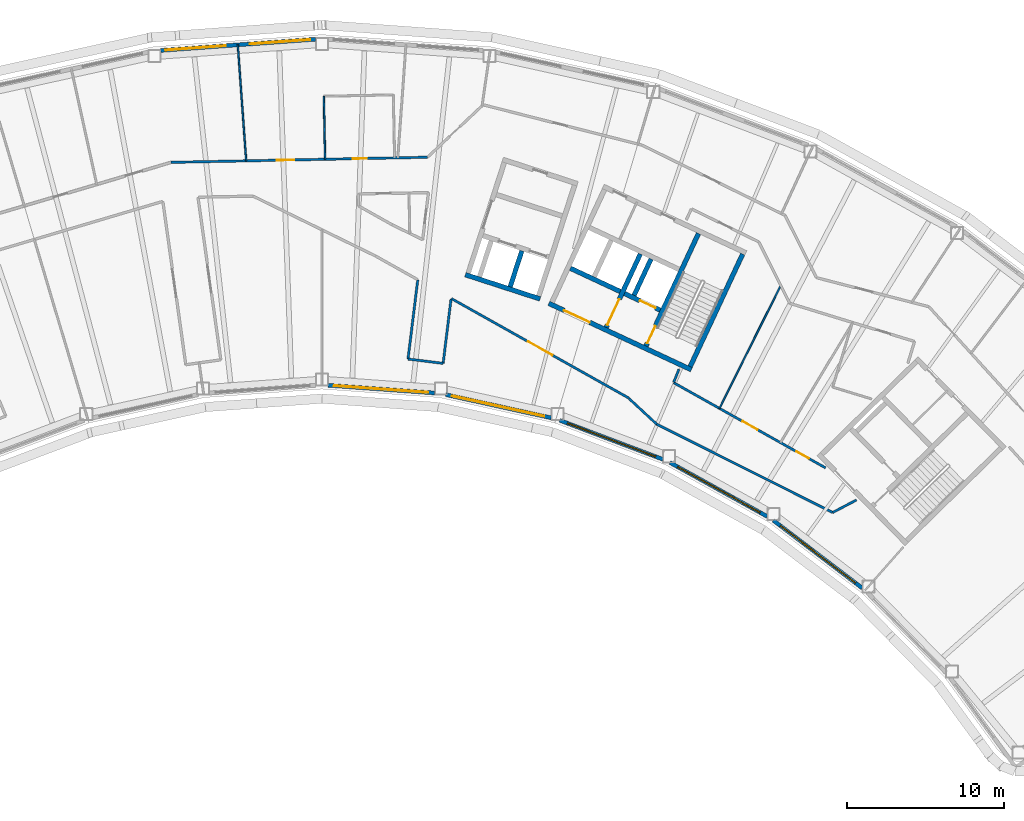
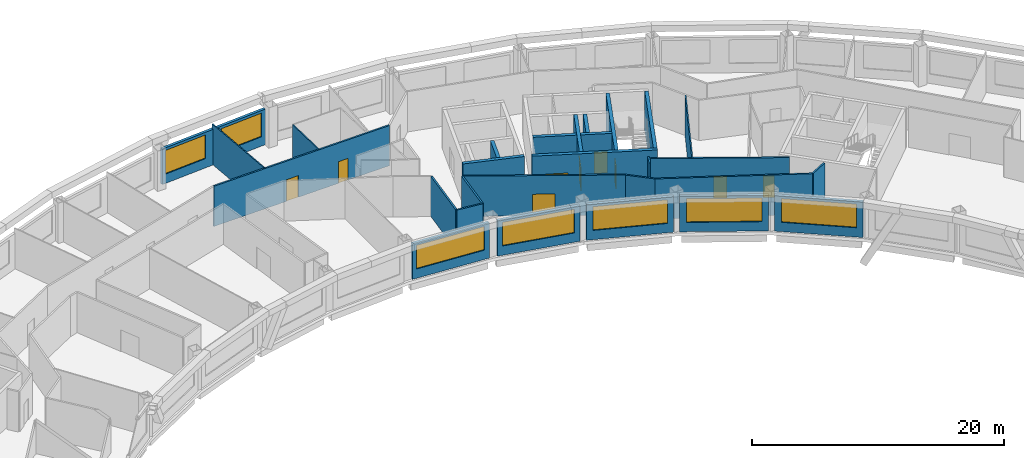
# One storey, part 8 of 14: 28 walls, 9 doors, 7 windows, 16 openings.
"""IFC4 building model written with IfcOpenShell, lengths in metres."""

from ifc_helpers import new_model, si_unit, direction, frame, frame_2d, origin, place, context, subcontext, project, spatial, rectangle, extrude, material, layer, layer_set, type_object, element, fill, save


model = new_model("IFC4")

# Units and contexts
model_context = context("Model", 3, precision=1e-05, world=origin(), true_north=direction((0.0, 1.0)))
body_context = subcontext(model_context, "Body", "Model", "MODEL_VIEW")
ifc_project = project(units=[si_unit("LENGTHUNIT", "METRE"), si_unit("AREAUNIT", "SQUARE_METRE"), si_unit("VOLUMEUNIT", "CUBIC_METRE"), si_unit("PLANEANGLEUNIT", "RADIAN"), si_unit("MASSUNIT", "GRAM", prefix="KILO")], contexts=[model_context])

# Site, building, storey
site_placement = place(None, origin())
site = spatial("IfcSite", under=ifc_project, at=site_placement, CompositionType="ELEMENT")
building_placement = place(site_placement, origin())
building = spatial("IfcBuilding", under=site, at=building_placement, Name="Tuul Gate Civic Tower", CompositionType="ELEMENT")
storey_placement = place(building_placement, frame((0.0, 0.0, 269.39990234375)))
storey = spatial("IfcBuildingStorey", under=building, at=storey_placement, Name="Level 61", CompositionType="ELEMENT", Elevation=269.39990234375)

# Wall, opening, door
ifc_material_1 = material(Name="Concrete C50/60", Category="concrete")
ifc_layer_1 = layer(ifc_material_1, 0.300048828125)
ifc_layer_set_1 = layer_set([ifc_layer_1], Name="Concrete C50/60")
wall_type_1 = type_object("IfcWallType", Name="Core wall C50/60", PredefinedType="SHEAR", material=ifc_layer_set_1)
wall_1_placement = place(storey_placement, frame((34.5283203125, -7.25, 0.0), z_axis=(0.0, 0.0, 1.0), x_axis=(-0.906310338845, 0.422612789327, 0.0)))
wall_1 = element("IfcWall", 1, at=wall_1_placement, inside=storey, type_object=wall_type_1, Name="Core wall", PredefinedType="SHEAR", context=body_context, shape_type="SweptSolid", body=[
    extrude(rectangle(XDim=9.999755859375, YDim=0.300048828125, at=frame_2d((5.0, 0.0))), origin(), (0.0, 0.0, 1.0), 3.900146484375),
])
opening_1_placement = place(wall_1_placement, frame((7.125, 0.0, 0.0)))
opening_1 = element("IfcOpeningElement", 2, at=opening_1_placement, cuts=wall_1, Name="Opening LB-E3-LOBBY-1", PredefinedType="OPENING", context=body_context, shape_type="SweptSolid", body=[
    extrude(rectangle(XDim=1.800048828125, YDim=2.10009765625, at=frame_2d((0.89990234375, 1.050048828125))), frame((0.0, 0.16015625, 0.0), z_axis=(0.0, -1.0, 0.0), x_axis=(1.0, 0.0, 0.0)), (0.0, 0.0, 1.0), 0.320068359375),
])
ifc_material_2 = material(Name="Steel", Category="steel")
door_type_1 = type_object("IfcDoorType", Name="Lobby door", OperationType="DOUBLE_DOOR_SINGLE_SWING", PredefinedType="DOOR", material=ifc_material_2)
door_1_placement = place(opening_1_placement, frame((1.800048828125, 0.0, 0.0), z_axis=(0.0, 0.0, 1.0), x_axis=(-1.0, 0.0, 0.0)))
door_1 = element("IfcDoor", 3, at=door_1_placement, inside=storey, type_object=door_type_1, Name="Lobby door E3-LOBBY", OperationType="DOUBLE_DOOR_SINGLE_SWING", OverallHeight=2.10009765625, OverallWidth=1.800048828125, PredefinedType="DOOR", context=body_context, shape_type="SweptSolid", body=[
    extrude(rectangle(XDim=1.800048828125, YDim=2.10009765625, at=frame_2d((0.900146484375, 1.050048828125))), frame((0.0, 0.02490234375, 0.0), z_axis=(0.0, -1.0, 0.0), x_axis=(1.0, 0.0, 0.0)), (0.0, 0.0, 1.0), 0.050048828125),
])
fill(opening_1, door_1)

wall_2_placement = place(storey_placement, frame((32.545654296875, -3.456787109375, 0.0), z_axis=(0.0, 0.0, 1.0), x_axis=(-0.906300357825, 0.42263419337, 0.0)))
wall_2 = element("IfcWall", 4, at=wall_2_placement, inside=storey, type_object=wall_type_1, Name="Core wall", PredefinedType="SHEAR", context=body_context, shape_type="SweptSolid", body=[
    extrude(rectangle(XDim=2.500244140625, YDim=0.300048828125, at=frame_2d((1.25, 0.0))), origin(), (0.0, 0.0, 1.0), 3.900146484375),
])
opening_2_placement = place(wall_2_placement, frame((0.324951171875, 0.0, 0.0)))
opening_2 = element("IfcOpeningElement", 5, at=opening_2_placement, cuts=wall_2, Name="Opening LD-FF-2", PredefinedType="OPENING", context=body_context, shape_type="SweptSolid", body=[
    extrude(rectangle(XDim=1.10009765625, YDim=2.10009765625, at=frame_2d((0.550048828125, 1.050048828125))), frame((0.0, 0.16015625, 0.0), z_axis=(0.0, -1.0, 0.0), x_axis=(1.0, 0.0, 0.0)), (0.0, 0.0, 1.0), 0.320068359375),
])
ifc_material_3 = material(Name="Stainless steel", Category="steel")
door_type_2 = type_object("IfcDoorType", Name="Landing door", OperationType="DOUBLE_DOOR_SLIDING", PredefinedType="DOOR", material=ifc_material_3)
door_2_placement = place(opening_2_placement, origin())
door_2 = element("IfcDoor", 6, at=door_2_placement, inside=storey, type_object=door_type_2, Name="Fire-fighting lift FF-2 landing door", OperationType="DOUBLE_DOOR_SLIDING", OverallHeight=2.10009765625, OverallWidth=1.10009765625, PredefinedType="DOOR", context=body_context, shape_type="SweptSolid", body=[
    extrude(rectangle(XDim=1.10009765625, YDim=2.10009765625, at=frame_2d((0.550048828125, 1.050048828125))), frame((0.0, 0.02490234375, 0.0), z_axis=(0.0, -1.0, 0.0), x_axis=(1.0, 0.0, 0.0)), (0.0, 0.0, 1.0), 0.050048828125),
])
fill(opening_2, door_2)

# Walls
wall_3_placement = place(storey_placement, frame((30.0078125, -2.2734375, 0.0), z_axis=(0.0, 0.0, 1.0), x_axis=(-0.90630071767, 0.422633421716, 0.0)))
element("IfcWall", 7, at=wall_3_placement, inside=storey, type_object=wall_type_1, Name="Core wall", PredefinedType="SHEAR", context=body_context, shape_type="SweptSolid", body=[
    extrude(rectangle(XDim=3.5, YDim=0.300048828125, at=frame_2d((1.75, 0.0))), origin(), (0.0, 0.0, 1.0), 3.900146484375),
])
wall_4_placement = place(storey_placement, frame((34.455810546875, -7.05078125, 0.0), z_axis=(0.0, 0.0, 1.0), x_axis=(0.422570768258, 0.906329932096, 0.0)))
element("IfcWall", 8, at=wall_4_placement, inside=storey, type_object=wall_type_1, Name="Core wall", PredefinedType="SHEAR", context=body_context, shape_type="SweptSolid", body=[
    extrude(rectangle(XDim=7.900146484375, YDim=0.300048828125, at=frame_2d((3.9501953125, 0.0))), origin(), (0.0, 0.0, 1.0), 3.900146484375),
])

# Wall, opening, door
wall_5_placement = place(storey_placement, frame((31.646240234375, -5.740478515625, 0.0), z_axis=(0.0, 0.0, 1.0), x_axis=(0.422582604137, 0.906324413596, 0.0)))
wall_5 = element("IfcWall", 9, at=wall_5_placement, inside=storey, type_object=wall_type_1, Name="Core wall", PredefinedType="SHEAR", context=body_context, shape_type="SweptSolid", body=[
    extrude(rectangle(XDim=7.89990234375, YDim=0.300048828125, at=frame_2d((3.949951171875, 0.0))), origin(), (0.0, 0.0, 1.0), 3.900146484375),
])
opening_3_placement = place(wall_5_placement, frame((0.199951171875, 0.0, 0.0)))
opening_3 = element("IfcOpeningElement", 10, at=opening_3_placement, cuts=wall_5, Name="Opening SD-ST-4", PredefinedType="OPENING", context=body_context, shape_type="SweptSolid", body=[
    extrude(rectangle(XDim=1.199951171875, YDim=2.10009765625, at=frame_2d((0.60009765625, 1.050048828125))), frame((0.0, 0.16015625, 0.0), z_axis=(0.0, -1.0, 0.0), x_axis=(1.0, 0.0, 0.0)), (0.0, 0.0, 1.0), 0.320068359375),
])
ifc_material_4 = material(Name="Steel", Category="steel")
door_type_3 = type_object("IfcDoorType", Name="Stair door", OperationType="NOTDEFINED", PredefinedType="DOOR", material=ifc_material_4)
door_3_placement = place(opening_3_placement, origin())
door_3 = element("IfcDoor", 11, at=door_3_placement, inside=storey, type_object=door_type_3, Name="Stair door ST-4", OperationType="SINGLE_SWING_LEFT", OverallHeight=2.10009765625, OverallWidth=1.199951171875, PredefinedType="DOOR", context=body_context, shape_type="SweptSolid", body=[
    extrude(rectangle(XDim=1.199951171875, YDim=2.10009765625, at=frame_2d((0.60009765625, 1.050048828125))), frame((0.0, 0.02490234375, 0.0), z_axis=(0.0, -1.0, 0.0), x_axis=(1.0, 0.0, 0.0)), (0.0, 0.0, 1.0), 0.050048828125),
])
fill(opening_3, door_3)

# Wall
wall_6_placement = place(storey_placement, frame((30.886962890625, -2.517822265625, 0.0), z_axis=(0.0, 0.0, 1.0), x_axis=(0.422612891016, 0.906310291427, 0.0)))
element("IfcWall", 12, at=wall_6_placement, inside=storey, type_object=wall_type_1, Name="Core wall", PredefinedType="SHEAR", context=body_context, shape_type="SweptSolid", body=[
    extrude(rectangle(XDim=2.550048828125, YDim=0.300048828125, at=frame_2d((1.27490234375, 0.0))), origin(), (0.0, 0.0, 1.0), 3.900146484375),
])

# Wall, opening, door
wall_7_placement = place(storey_placement, frame((29.108642578125, -4.557373046875, 0.0), z_axis=(0.0, 0.0, 1.0), x_axis=(0.422566235356, 0.90633204552, 0.0)))
wall_7 = element("IfcWall", 13, at=wall_7_placement, inside=storey, type_object=wall_type_1, Name="Core wall", PredefinedType="SHEAR", context=body_context, shape_type="SweptSolid", body=[
    extrude(rectangle(XDim=5.150146484375, YDim=0.300048828125, at=frame_2d((2.5751953125, 0.0))), origin(), (0.0, 0.0, 1.0), 3.900146484375),
])
opening_4_placement = place(wall_7_placement, frame((0.175048828125, 0.0, 0.0)))
opening_4 = element("IfcOpeningElement", 14, at=opening_4_placement, cuts=wall_7, Name="Opening LB-E3-FLOBBY-1", PredefinedType="OPENING", context=body_context, shape_type="SweptSolid", body=[
    extrude(rectangle(XDim=1.800048828125, YDim=2.10009765625, at=frame_2d((0.89990234375, 1.050048828125))), frame((0.0, 0.16015625, 0.0), z_axis=(0.0, -1.0, 0.0), x_axis=(1.0, 0.0, 0.0)), (0.0, 0.0, 1.0), 0.320068359375),
])
door_4_placement = place(opening_4_placement, frame((1.800048828125, 0.0, 0.0), z_axis=(0.0, 0.0, 1.0), x_axis=(-1.0, 0.0, 0.0)))
door_4 = element("IfcDoor", 15, at=door_4_placement, inside=storey, type_object=door_type_1, Name="Lobby door E3-FLOBBY", OperationType="DOUBLE_DOOR_SINGLE_SWING", OverallHeight=2.10009765625, OverallWidth=1.800048828125, PredefinedType="DOOR", context=body_context, shape_type="SweptSolid", body=[
    extrude(rectangle(XDim=1.800048828125, YDim=2.10009765625, at=frame_2d((0.900146484375, 1.050048828125))), frame((0.0, 0.02490234375, 0.0), z_axis=(0.0, -1.0, 0.0), x_axis=(1.0, 0.0, 0.0)), (0.0, 0.0, 1.0), 0.050048828125),
])
fill(opening_4, door_4)

# Wall, openings, doors
ifc_material_5 = material(Name="Gypsum board partition")
ifc_layer_2 = layer(ifc_material_5, 0.14990234375)
ifc_layer_set_2 = layer_set([ifc_layer_2], Name="Gypsum board partition")
wall_type_2 = type_object("IfcWallType", Name="Corridor wall P150", PredefinedType="PARTITIONING", material=ifc_layer_set_2)
wall_8_placement = place(storey_placement, frame((1.44384765625, 5.941162109375, 0.0), z_axis=(0.0, 0.0, 1.0), x_axis=(0.999800724088, 0.019962768161, 0.0)))
wall_8 = element("IfcWall", 16, at=wall_8_placement, inside=storey, type_object=wall_type_2, Name="p026", PredefinedType="PARTITIONING", context=body_context, shape_type="SweptSolid", body=[
    extrude(rectangle(XDim=16.30224609375, YDim=0.14990234375, at=frame_2d((8.151123046875, 0.0))), origin(), (0.0, 0.0, 1.0), 3.900146484375),
])
opening_5_placement = place(wall_8_placement, frame((11.55322265625, 0.0, 0.0)))
opening_5 = element("IfcOpeningElement", 17, at=opening_5_placement, cuts=wall_8, Name="Opening W-D09", PredefinedType="OPENING", context=body_context, shape_type="SweptSolid", body=[
    extrude(rectangle(XDim=0.89990234375, YDim=2.10009765625, at=frame_2d((0.449951171875, 1.050048828125))), frame((0.0, 0.0849609375, 0.0), z_axis=(0.0, -1.0, 0.0), x_axis=(1.0, 0.0, 0.0)), (0.0, 0.0, 1.0), 0.169921875),
])
opening_6_placement = place(wall_8_placement, frame((6.733154296875, 0.0, 0.0)))
opening_6 = element("IfcOpeningElement", 18, at=opening_6_placement, cuts=wall_8, Name="Opening W-D10", PredefinedType="OPENING", context=body_context, shape_type="SweptSolid", body=[
    extrude(rectangle(XDim=1.10009765625, YDim=2.10009765625, at=frame_2d((0.550048828125, 1.050048828125))), frame((0.0, 0.0849609375, 0.0), z_axis=(0.0, -1.0, 0.0), x_axis=(1.0, 0.0, 0.0)), (0.0, 0.0, 1.0), 0.169921875),
])
ifc_material_6 = material(Name="Timber door leaf", Category="wood")
door_type_4 = type_object("IfcDoorType", Name="Door D09", OperationType="NOTDEFINED", PredefinedType="DOOR", material=ifc_material_6)
door_5_placement = place(opening_5_placement, origin())
door_5 = element("IfcDoor", 19, at=door_5_placement, inside=storey, type_object=door_type_4, Name="Door W-D09", OperationType="SINGLE_SWING_RIGHT", OverallHeight=2.10009765625, OverallWidth=0.89990234375, PredefinedType="DOOR", context=body_context, shape_type="SweptSolid", body=[
    extrude(rectangle(XDim=0.89990234375, YDim=2.10009765625, at=frame_2d((0.449951171875, 1.050048828125))), frame((0.0, 0.02490234375, 0.0), z_axis=(0.0, -1.0, 0.0), x_axis=(1.0, 0.0, 0.0)), (0.0, 0.0, 1.0), 0.050048828125),
])
fill(opening_5, door_5)
ifc_material_7 = material(Name="Timber door leaf", Category="wood")
door_type_5 = type_object("IfcDoorType", Name="Door D11", OperationType="NOTDEFINED", PredefinedType="DOOR", material=ifc_material_7)
door_6_placement = place(opening_6_placement, origin())
door_6 = element("IfcDoor", 20, at=door_6_placement, inside=storey, type_object=door_type_5, Name="Door W-D10", OperationType="SINGLE_SWING_RIGHT", OverallHeight=2.10009765625, OverallWidth=1.10009765625, PredefinedType="DOOR", context=body_context, shape_type="SweptSolid", body=[
    extrude(rectangle(XDim=1.10009765625, YDim=2.10009765625, at=frame_2d((0.550048828125, 1.050048828125))), frame((0.0, 0.02490234375, 0.0), z_axis=(0.0, -1.0, 0.0), x_axis=(1.0, 0.0, 0.0)), (0.0, 0.0, 1.0), 0.050048828125),
])
fill(opening_6, door_6)

# Wall, opening, door
wall_9_placement = place(storey_placement, frame((19.274169921875, -2.724609375, 0.0), z_axis=(0.0, 0.0, 1.0), x_axis=(0.872151094842, -0.489236617359, 0.0)))
wall_9 = element("IfcWall", 21, at=wall_9_placement, inside=storey, type_object=wall_type_2, Name="p069", PredefinedType="PARTITIONING", context=body_context, shape_type="SweptSolid", body=[
    extrude(rectangle(XDim=12.9345703125, YDim=0.14990234375, at=frame_2d((6.46728515625, 0.0))), origin(), (0.0, 0.0, 1.0), 3.900146484375),
])
opening_7_placement = place(wall_9_placement, frame((5.5673828125, 0.0, 0.0)))
opening_7 = element("IfcOpeningElement", 22, at=opening_7_placement, cuts=wall_9, Name="Opening W-D22", PredefinedType="OPENING", context=body_context, shape_type="SweptSolid", body=[
    extrude(rectangle(XDim=1.800048828125, YDim=2.10009765625, at=frame_2d((0.89990234375, 1.050048828125))), frame((0.0, 0.0849609375, 0.0), z_axis=(0.0, -1.0, 0.0), x_axis=(1.0, 0.0, 0.0)), (0.0, 0.0, 1.0), 0.169921875),
])
ifc_material_8 = material(Name="Timber door leaf, double", Category="wood")
door_type_6 = type_object("IfcDoorType", Name="Door D18", OperationType="DOUBLE_DOOR_SINGLE_SWING", PredefinedType="DOOR", material=ifc_material_8)
door_7_placement = place(opening_7_placement, frame((1.800048828125, 0.0, 0.0), z_axis=(0.0, 0.0, 1.0), x_axis=(-1.0, 0.0, 0.0)))
door_7 = element("IfcDoor", 23, at=door_7_placement, inside=storey, type_object=door_type_6, Name="Door W-D22", OperationType="DOUBLE_DOOR_SINGLE_SWING", OverallHeight=2.10009765625, OverallWidth=1.800048828125, PredefinedType="DOOR", context=body_context, shape_type="SweptSolid", body=[
    extrude(rectangle(XDim=1.800048828125, YDim=2.10009765625, at=frame_2d((0.900146484375, 1.050048828125))), frame((0.0, 0.02490234375, 0.0), z_axis=(0.0, -1.0, 0.0), x_axis=(1.0, 0.0, 0.0)), (0.0, 0.0, 1.0), 0.050048828125),
])
fill(opening_7, door_7)

# Walls
wall_10_placement = place(storey_placement, frame((32.32861328125, -10.7138671875, 0.0), z_axis=(0.0, 0.0, 1.0), x_axis=(0.893911780054, -0.448242935784, 0.0)))
element("IfcWall", 24, at=wall_10_placement, inside=storey, type_object=wall_type_2, Name="p070", PredefinedType="PARTITIONING", context=body_context, shape_type="SweptSolid", body=[
    extrude(rectangle(XDim=12.51953125, YDim=0.14990234375, at=frame_2d((6.259765625, 0.0))), origin(), (0.0, 0.0, 1.0), 3.900146484375),
])
wall_11_placement = place(storey_placement, frame((16.51025390625, -6.568115234375, 0.0), z_axis=(0.0, 0.0, 1.0), x_axis=(0.12187132843, 0.992545907909, 0.0)))
element("IfcWall", 25, at=wall_11_placement, inside=storey, type_object=wall_type_2, Name="p071", PredefinedType="PARTITIONING", context=body_context, shape_type="SweptSolid", body=[
    extrude(rectangle(XDim=5.0703125, YDim=0.14990234375, at=frame_2d((2.53515625, 0.0))), origin(), (0.0, 0.0, 1.0), 3.900146484375),
])
wall_12_placement = place(storey_placement, frame((16.51025390625, -6.568115234375, 0.0), z_axis=(0.0, 0.0, 1.0), x_axis=(0.992547600352, -0.121857544025, 0.0)))
element("IfcWall", 26, at=wall_12_placement, inside=storey, type_object=wall_type_2, Name="p073", PredefinedType="PARTITIONING", context=body_context, shape_type="SweptSolid", body=[
    extrude(rectangle(XDim=2.25, YDim=0.14990234375, at=frame_2d((1.125, 0.0))), origin(), (0.0, 0.0, 1.0), 3.900146484375),
])
wall_13_placement = place(storey_placement, frame((18.743408203125, -6.84228515625, 0.0), z_axis=(0.0, 0.0, 1.0), x_axis=(0.121852490547, 0.992548220767, 0.0)))
element("IfcWall", 27, at=wall_13_placement, inside=storey, type_object=wall_type_2, Name="p074", PredefinedType="PARTITIONING", context=body_context, shape_type="SweptSolid", body=[
    extrude(rectangle(XDim=4.13134765625, YDim=0.14990234375, at=frame_2d((2.065673828125, 0.0))), origin(), (0.0, 0.0, 1.0), 3.900146484375),
])
wall_14_placement = place(storey_placement, frame((30.56298828125, -9.077880859375, 0.0), z_axis=(0.0, 0.0, 1.0), x_axis=(0.733522791597, -0.679664854327, 0.0)))
element("IfcWall", 28, at=wall_14_placement, inside=storey, type_object=wall_type_2, Name="p076", PredefinedType="PARTITIONING", context=body_context, shape_type="SweptSolid", body=[
    extrude(rectangle(XDim=2.406982421875, YDim=0.14990234375, at=frame_2d((1.20361328125, 0.0))), origin(), (0.0, 0.0, 1.0), 3.900146484375),
])
wall_15_placement = place(storey_placement, frame((43.52001953125, -16.32568359375, 0.0), z_axis=(0.0, 0.0, 1.0), x_axis=(0.88557995334, 0.464486971014, 0.0)))
element("IfcWall", 29, at=wall_15_placement, inside=storey, type_object=wall_type_2, Name="p079", PredefinedType="PARTITIONING", context=body_context, shape_type="SweptSolid", body=[
    extrude(rectangle(XDim=1.71044921875, YDim=0.14990234375, at=frame_2d((0.855224609375, 0.0))), origin(), (0.0, 0.0, 1.0), 3.900146484375),
])

# Wall, openings, doors
wall_16_placement = place(storey_placement, frame((33.41357421875, -8.076416015625, 0.0), z_axis=(0.0, 0.0, 1.0), x_axis=(0.872143730179, -0.489249745947, 0.0)))
wall_16 = element("IfcWall", 30, at=wall_16_placement, inside=storey, type_object=wall_type_2, Name="p099", PredefinedType="PARTITIONING", context=body_context, shape_type="SweptSolid", body=[
    extrude(rectangle(XDim=11.06201171875, YDim=0.14990234375, at=frame_2d((5.531005859375, 0.0))), origin(), (0.0, 0.0, 1.0), 3.900146484375),
])
opening_8_placement = place(wall_16_placement, frame((5.004638671875, 0.0, 0.0)))
opening_8 = element("IfcOpeningElement", 31, at=opening_8_placement, cuts=wall_16, Name="Opening W-D29", PredefinedType="OPENING", context=body_context, shape_type="SweptSolid", body=[
    extrude(rectangle(XDim=1.10009765625, YDim=2.10009765625, at=frame_2d((0.550048828125, 1.050048828125))), frame((0.0, 0.0849609375, 0.0), z_axis=(0.0, -1.0, 0.0), x_axis=(1.0, 0.0, 0.0)), (0.0, 0.0, 1.0), 0.169921875),
])
opening_9_placement = place(wall_16_placement, frame((8.95556640625, 0.0, 0.0)))
opening_9 = element("IfcOpeningElement", 32, at=opening_9_placement, cuts=wall_16, Name="Opening W-D32", PredefinedType="OPENING", context=body_context, shape_type="SweptSolid", body=[
    extrude(rectangle(XDim=0.89990234375, YDim=2.10009765625, at=frame_2d((0.449951171875, 1.050048828125))), frame((0.0, 0.0849609375, 0.0), z_axis=(0.0, -1.0, 0.0), x_axis=(1.0, 0.0, 0.0)), (0.0, 0.0, 1.0), 0.169921875),
])
door_8_placement = place(opening_9_placement, origin())
door_8 = element("IfcDoor", 33, at=door_8_placement, inside=storey, type_object=door_type_4, Name="Door W-D32", OperationType="SINGLE_SWING_LEFT", OverallHeight=2.10009765625, OverallWidth=0.89990234375, PredefinedType="DOOR", context=body_context, shape_type="SweptSolid", body=[
    extrude(rectangle(XDim=0.89990234375, YDim=2.10009765625, at=frame_2d((0.449951171875, 1.050048828125))), frame((0.0, 0.02490234375, 0.0), z_axis=(0.0, -1.0, 0.0), x_axis=(1.0, 0.0, 0.0)), (0.0, 0.0, 1.0), 0.050048828125),
])
fill(opening_9, door_8)
door_9_placement = place(opening_8_placement, origin())
door_9 = element("IfcDoor", 34, at=door_9_placement, inside=storey, type_object=door_type_5, Name="Door W-D29", OperationType="SINGLE_SWING_RIGHT", OverallHeight=2.10009765625, OverallWidth=1.10009765625, PredefinedType="DOOR", context=body_context, shape_type="SweptSolid", body=[
    extrude(rectangle(XDim=1.10009765625, YDim=2.10009765625, at=frame_2d((0.550048828125, 1.050048828125))), frame((0.0, 0.02490234375, 0.0), z_axis=(0.0, -1.0, 0.0), x_axis=(1.0, 0.0, 0.0)), (0.0, 0.0, 1.0), 0.050048828125),
])
fill(opening_8, door_9)

# Wall
ifc_material_9 = material(Name="Gypsum board partition")
ifc_layer_3 = layer(ifc_material_9, 0.14990234375)
ifc_layer_set_3 = layer_set([ifc_layer_3], Name="Gypsum board partition")
wall_type_3 = type_object("IfcWallType", Name="Corridor wall P150 3400 HIGH", PredefinedType="PARTITIONING", material=ifc_layer_set_3)
wall_17_placement = place(storey_placement, frame((33.404541015625, -8.051025390625, 0.0), z_axis=(0.0, 0.0, 1.0), x_axis=(0.37461083816, 0.927182139568, 0.0)))
element("IfcWall", 35, at=wall_17_placement, inside=storey, type_object=wall_type_3, Name="p078", PredefinedType="PARTITIONING", context=body_context, shape_type="SweptSolid", body=[
    extrude(rectangle(XDim=0.9013671875, YDim=0.14990234375, at=frame_2d((0.45068359375, 0.0))), origin(), (0.0, 0.0, 1.0), 3.400146484375),
])

# Wall, openings, windows
ifc_material_10 = material(Name="Precast concrete C40/50", Category="concrete")
ifc_layer_4 = layer(ifc_material_10, 0.25)
ifc_layer_set_4 = layer_set([ifc_layer_4], Name="Precast concrete C40/50")
wall_type_4 = type_object("IfcWallType", Name="External wall", PredefinedType="STANDARD", material=ifc_layer_set_4)
wall_18_placement = place(storey_placement, frame((10.631103515625, 13.770751953125, 0.0), z_axis=(0.0, 0.0, 1.0), x_axis=(-0.997387687721, -0.072234343517, 0.0)))
wall_18 = element("IfcWall", 36, at=wall_18_placement, inside=storey, type_object=wall_type_4, Name="External wall", PredefinedType="STANDARD", context=body_context, shape_type="SweptSolid", body=[
    extrude(rectangle(XDim=9.8759765625, YDim=0.25, at=frame_2d((4.93798828125, 0.0))), origin(), (0.0, 0.0, 1.0), 3.4501953125),
])
opening_10_placement = place(wall_18_placement, frame((0.3505859375, 0.0, 0.89990234375)))
opening_10 = element("IfcOpeningElement", 37, at=opening_10_placement, cuts=wall_18, Name="Opening W22", PredefinedType="OPENING", context=body_context, shape_type="SweptSolid", body=[
    extrude(rectangle(XDim=3.85009765625, YDim=2.300048828125, at=frame_2d((1.925048828125, 1.14990234375))), frame((0.0, 0.135009765625, 0.0), z_axis=(0.0, -1.0, 0.0), x_axis=(1.0, 0.0, 0.0)), (0.0, 0.0, 1.0), 0.27001953125),
])
opening_11_placement = place(wall_18_placement, frame((5.72216796875, 0.0, 0.89990234375)))
opening_11 = element("IfcOpeningElement", 38, at=opening_11_placement, cuts=wall_18, Name="Opening W22", PredefinedType="OPENING", context=body_context, shape_type="SweptSolid", body=[
    extrude(rectangle(XDim=3.85009765625, YDim=2.300048828125, at=frame_2d((1.925048828125, 1.14990234375))), frame((0.0, 0.135009765625, 0.0), z_axis=(0.0, -1.0, 0.0), x_axis=(1.0, 0.0, 0.0)), (0.0, 0.0, 1.0), 0.27001953125),
])
ifc_material_11 = material(Name="Glass", Category="glass")
window_type_1 = type_object("IfcWindowType", Name="Window W22 3850 x 2300", PartitioningType="SINGLE_PANEL", PredefinedType="WINDOW", material=ifc_material_11)
window_1_placement = place(opening_10_placement, origin())
window_1 = element("IfcWindow", 39, at=window_1_placement, inside=storey, type_object=window_type_1, Name="Window", OverallHeight=2.300048828125, OverallWidth=3.85009765625, PartitioningType="SINGLE_PANEL", PredefinedType="WINDOW", context=body_context, shape_type="SweptSolid", body=[
    extrude(rectangle(XDim=3.85009765625, YDim=2.300048828125, at=frame_2d((1.925048828125, 1.14990234375))), frame((0.0, 0.030029296875, 0.0), z_axis=(0.0, -1.0, 0.0), x_axis=(1.0, 0.0, 0.0)), (0.0, 0.0, 1.0), 0.06005859375),
])
fill(opening_10, window_1)
window_2_placement = place(opening_11_placement, origin())
window_2 = element("IfcWindow", 40, at=window_2_placement, inside=storey, type_object=window_type_1, Name="Window", OverallHeight=2.300048828125, OverallWidth=3.85009765625, PartitioningType="SINGLE_PANEL", PredefinedType="WINDOW", context=body_context, shape_type="SweptSolid", body=[
    extrude(rectangle(XDim=3.85009765625, YDim=2.300048828125, at=frame_2d((1.925048828125, 1.14990234375))), frame((0.0, 0.030029296875, 0.0), z_axis=(0.0, -1.0, 0.0), x_axis=(1.0, 0.0, 0.0)), (0.0, 0.0, 1.0), 0.06005859375),
])
fill(opening_11, window_2)

# Wall, opening, window
wall_19_placement = place(storey_placement, frame((11.430908203125, -8.236572265625, 0.0), z_axis=(0.0, 0.0, 1.0), x_axis=(0.997384795983, -0.072274260578, 0.0)))
wall_19 = element("IfcWall", 41, at=wall_19_placement, inside=storey, type_object=wall_type_4, Name="External wall", PredefinedType="STANDARD", context=body_context, shape_type="SweptSolid", body=[
    extrude(rectangle(XDim=6.789794921875, YDim=0.25, at=frame_2d((3.39501953125, 0.0))), origin(), (0.0, 0.0, 1.0), 3.4501953125),
])
opening_12_placement = place(wall_19_placement, frame((0.371337890625, 0.0, 0.89990234375)))
opening_12 = element("IfcOpeningElement", 42, at=opening_12_placement, cuts=wall_19, Name="Opening W26", PredefinedType="OPENING", context=body_context, shape_type="SweptSolid", body=[
    extrude(rectangle(XDim=6.0, YDim=2.300048828125, at=frame_2d((3.0, 1.14990234375))), frame((0.0, 0.135009765625, 0.0), z_axis=(0.0, -1.0, 0.0), x_axis=(1.0, 0.0, 0.0)), (0.0, 0.0, 1.0), 0.27001953125),
])
ifc_material_12 = material(Name="Glass", Category="glass")
window_type_2 = type_object("IfcWindowType", Name="Window W26 6000 x 2300", PartitioningType="SINGLE_PANEL", PredefinedType="WINDOW", material=ifc_material_12)
window_3_placement = place(opening_12_placement, origin())
window_3 = element("IfcWindow", 43, at=window_3_placement, inside=storey, type_object=window_type_2, Name="Window", OverallHeight=2.300048828125, OverallWidth=6.0, PartitioningType="SINGLE_PANEL", PredefinedType="WINDOW", context=body_context, shape_type="SweptSolid", body=[
    extrude(rectangle(XDim=6.0, YDim=2.300048828125, at=frame_2d((3.0, 1.14990234375))), frame((0.0, 0.030029296875, 0.0), z_axis=(0.0, -1.0, 0.0), x_axis=(1.0, 0.0, 0.0)), (0.0, 0.0, 1.0), 0.06005859375),
])
fill(opening_12, window_3)

wall_20_placement = place(storey_placement, frame((18.90576171875, -8.830078125, 0.0), z_axis=(0.0, 0.0, 1.0), x_axis=(0.976589118116, -0.215113212929, 0.0)))
wall_20 = element("IfcWall", 44, at=wall_20_placement, inside=storey, type_object=wall_type_4, Name="External wall", PredefinedType="STANDARD", context=body_context, shape_type="SweptSolid", body=[
    extrude(rectangle(XDim=6.8720703125, YDim=0.25, at=frame_2d((3.43603515625, 0.0))), origin(), (0.0, 0.0, 1.0), 3.4501953125),
])
opening_13_placement = place(wall_20_placement, frame((0.4140625, 0.0, 0.89990234375)))
opening_13 = element("IfcOpeningElement", 45, at=opening_13_placement, cuts=wall_20, Name="Opening W26", PredefinedType="OPENING", context=body_context, shape_type="SweptSolid", body=[
    extrude(rectangle(XDim=6.0, YDim=2.300048828125, at=frame_2d((3.0, 1.14990234375))), frame((0.0, 0.135009765625, 0.0), z_axis=(0.0, -1.0, 0.0), x_axis=(1.0, 0.0, 0.0)), (0.0, 0.0, 1.0), 0.27001953125),
])
window_4_placement = place(opening_13_placement, origin())
window_4 = element("IfcWindow", 46, at=window_4_placement, inside=storey, type_object=window_type_2, Name="Window", OverallHeight=2.300048828125, OverallWidth=6.0, PartitioningType="SINGLE_PANEL", PredefinedType="WINDOW", context=body_context, shape_type="SweptSolid", body=[
    extrude(rectangle(XDim=6.0, YDim=2.300048828125, at=frame_2d((3.0, 1.14990234375))), frame((0.0, 0.030029296875, 0.0), z_axis=(0.0, -1.0, 0.0), x_axis=(1.0, 0.0, 0.0)), (0.0, 0.0, 1.0), 0.06005859375),
])
fill(opening_13, window_4)

wall_21_placement = place(storey_placement, frame((26.15673828125, -10.464111328125, 0.0), z_axis=(0.0, 0.0, 1.0), x_axis=(0.935331393711, -0.353772785752, 0.0)))
wall_21 = element("IfcWall", 47, at=wall_21_placement, inside=storey, type_object=wall_type_4, Name="External wall", PredefinedType="STANDARD", context=body_context, shape_type="SweptSolid", body=[
    extrude(rectangle(XDim=7.014892578125, YDim=0.25, at=frame_2d((3.50732421875, 0.0))), origin(), (0.0, 0.0, 1.0), 3.4501953125),
])
opening_14_placement = place(wall_21_placement, frame((0.5234375, 0.0, 0.89990234375)))
opening_14 = element("IfcOpeningElement", 48, at=opening_14_placement, cuts=wall_21, Name="Opening W26", PredefinedType="OPENING", context=body_context, shape_type="SweptSolid", body=[
    extrude(rectangle(XDim=6.0, YDim=2.300048828125, at=frame_2d((3.0, 1.14990234375))), frame((0.0, 0.135009765625, 0.0), z_axis=(0.0, -1.0, 0.0), x_axis=(1.0, 0.0, 0.0)), (0.0, 0.0, 1.0), 0.27001953125),
])
window_5_placement = place(opening_14_placement, origin())
window_5 = element("IfcWindow", 49, at=window_5_placement, inside=storey, type_object=window_type_2, Name="Window", OverallHeight=2.300048828125, OverallWidth=6.0, PartitioningType="SINGLE_PANEL", PredefinedType="WINDOW", context=body_context, shape_type="SweptSolid", body=[
    extrude(rectangle(XDim=6.0, YDim=2.300048828125, at=frame_2d((3.0, 1.14990234375))), frame((0.0, 0.030029296875, 0.0), z_axis=(0.0, -1.0, 0.0), x_axis=(1.0, 0.0, 0.0)), (0.0, 0.0, 1.0), 0.06005859375),
])
fill(opening_14, window_5)

wall_22_placement = place(storey_placement, frame((33.167724609375, -13.14892578125, 0.0), z_axis=(0.0, 0.0, 1.0), x_axis=(0.874609302381, -0.484828390452, 0.0)))
wall_22 = element("IfcWall", 50, at=wall_22_placement, inside=storey, type_object=wall_type_4, Name="External wall", PredefinedType="STANDARD", context=body_context, shape_type="SweptSolid", body=[
    extrude(rectangle(XDim=7.07666015625, YDim=0.25, at=frame_2d((3.538330078125, 0.0))), origin(), (0.0, 0.0, 1.0), 3.4501953125),
])
opening_15_placement = place(wall_22_placement, frame((0.558349609375, 0.0, 0.89990234375)))
opening_15 = element("IfcOpeningElement", 51, at=opening_15_placement, cuts=wall_22, Name="Opening W26", PredefinedType="OPENING", context=body_context, shape_type="SweptSolid", body=[
    extrude(rectangle(XDim=6.0, YDim=2.300048828125, at=frame_2d((3.0, 1.14990234375))), frame((0.0, 0.135009765625, 0.0), z_axis=(0.0, -1.0, 0.0), x_axis=(1.0, 0.0, 0.0)), (0.0, 0.0, 1.0), 0.27001953125),
])
window_6_placement = place(opening_15_placement, origin())
window_6 = element("IfcWindow", 52, at=window_6_placement, inside=storey, type_object=window_type_2, Name="Window", OverallHeight=2.300048828125, OverallWidth=6.0, PartitioningType="SINGLE_PANEL", PredefinedType="WINDOW", context=body_context, shape_type="SweptSolid", body=[
    extrude(rectangle(XDim=6.0, YDim=2.300048828125, at=frame_2d((3.0, 1.14990234375))), frame((0.0, 0.030029296875, 0.0), z_axis=(0.0, -1.0, 0.0), x_axis=(1.0, 0.0, 0.0)), (0.0, 0.0, 1.0), 0.06005859375),
])
fill(opening_15, window_6)

wall_23_placement = place(storey_placement, frame((39.746337890625, -16.830078125, 0.0), z_axis=(0.0, 0.0, 1.0), x_axis=(0.795636022241, -0.605774974815, 0.0)))
wall_23 = element("IfcWall", 53, at=wall_23_placement, inside=storey, type_object=wall_type_4, Name="External wall", PredefinedType="STANDARD", context=body_context, shape_type="SweptSolid", body=[
    extrude(rectangle(XDim=7.103271484375, YDim=0.25, at=frame_2d((3.5517578125, 0.0))), origin(), (0.0, 0.0, 1.0), 3.4501953125),
])
opening_16_placement = place(wall_23_placement, frame((0.5625, 0.0, 0.89990234375)))
opening_16 = element("IfcOpeningElement", 54, at=opening_16_placement, cuts=wall_23, Name="Opening W26", PredefinedType="OPENING", context=body_context, shape_type="SweptSolid", body=[
    extrude(rectangle(XDim=6.0, YDim=2.300048828125, at=frame_2d((3.0, 1.14990234375))), frame((0.0, 0.135009765625, 0.0), z_axis=(0.0, -1.0, 0.0), x_axis=(1.0, 0.0, 0.0)), (0.0, 0.0, 1.0), 0.27001953125),
])
window_7_placement = place(opening_16_placement, origin())
window_7 = element("IfcWindow", 55, at=window_7_placement, inside=storey, type_object=window_type_2, Name="Window", OverallHeight=2.300048828125, OverallWidth=6.0, PartitioningType="SINGLE_PANEL", PredefinedType="WINDOW", context=body_context, shape_type="SweptSolid", body=[
    extrude(rectangle(XDim=6.0, YDim=2.300048828125, at=frame_2d((3.0, 1.14990234375))), frame((0.0, 0.030029296875, 0.0), z_axis=(0.0, -1.0, 0.0), x_axis=(1.0, 0.0, 0.0)), (0.0, 0.0, 1.0), 0.06005859375),
])
fill(opening_16, window_7)

# Walls
ifc_material_13 = material(Name="Concrete C40/50", Category="concrete")
ifc_layer_5 = layer(ifc_material_13, 0.300048828125)
ifc_layer_set_5 = layer_set([ifc_layer_5], Name="Concrete C40/50")
wall_type_5 = type_object("IfcWallType", Name="Lift shaft wall C40/50", PredefinedType="STANDARD", material=ifc_layer_set_5)
wall_24_placement = place(storey_placement, frame((24.911376953125, -2.746337890625, 0.0), z_axis=(0.0, 0.0, 1.0), x_axis=(-0.951067792613, 0.308982287281, 0.0)))
element("IfcWall", 56, at=wall_24_placement, inside=storey, type_object=wall_type_5, Name="Shaft wall", PredefinedType="STANDARD", context=body_context, shape_type="SweptSolid", body=[
    extrude(rectangle(XDim=5.0, YDim=0.300048828125, at=frame_2d((2.5, 0.0))), origin(), (0.0, 0.0, 1.0), 3.900146484375),
])
wall_25_placement = place(storey_placement, frame((23.008056640625, -1.97021484375, 0.0), z_axis=(0.0, 0.0, 1.0), x_axis=(0.309138975195, 0.951016873675, 0.0)))
element("IfcWall", 57, at=wall_25_placement, inside=storey, type_object=wall_type_5, Name="Shaft wall", PredefinedType="STANDARD", context=body_context, shape_type="SweptSolid", body=[
    extrude(rectangle(XDim=2.400146484375, YDim=0.300048828125, at=frame_2d((1.2001953125, 0.0))), origin(), (0.0, 0.0, 1.0), 3.900146484375),
])
ifc_material_14 = material(Name="Gypsum board partition")
ifc_layer_6 = layer(ifc_material_14, 0.10009765625)
ifc_layer_set_6 = layer_set([ifc_layer_6], Name="Gypsum board partition")
wall_type_6 = type_object("IfcWallType", Name="Partition P100", PredefinedType="PARTITIONING", material=ifc_layer_set_6)
wall_26_placement = place(storey_placement, frame((11.1552734375, 10.145751953125, 0.0), z_axis=(0.0, 0.0, 1.0), x_axis=(0.019970439513, -0.999800570887, 0.0)))
element("IfcWall", 58, at=wall_26_placement, inside=storey, type_object=wall_type_6, Name="p027", PredefinedType="PARTITIONING", context=body_context, shape_type="SweptSolid", body=[
    extrude(rectangle(XDim=4.009765625, YDim=0.10009765625, at=frame_2d((2.0048828125, 0.0))), origin(), (0.0, 0.0, 1.0), 3.900146484375),
])
wall_27_placement = place(storey_placement, frame((5.682373046875, 13.417236328125, 0.0), z_axis=(0.0, 0.0, 1.0), x_axis=(0.072250478851, -0.997386519011, 0.0)))
element("IfcWall", 59, at=wall_27_placement, inside=storey, type_object=wall_type_6, Name="p030", PredefinedType="PARTITIONING", context=body_context, shape_type="SweptSolid", body=[
    extrude(rectangle(XDim=7.400146484375, YDim=0.10009765625, at=frame_2d((3.7001953125, 0.0))), origin(), (0.0, 0.0, 1.0), 3.900146484375),
])
wall_28_placement = place(storey_placement, frame((36.318115234375, -9.7060546875, 0.0), z_axis=(0.0, 0.0, 1.0), x_axis=(0.446195921352, 0.894935304795, 0.0)))
element("IfcWall", 60, at=wall_28_placement, inside=storey, type_object=wall_type_6, Name="p107", PredefinedType="PARTITIONING", context=body_context, shape_type="SweptSolid", body=[
    extrude(rectangle(XDim=8.73486328125, YDim=0.10009765625, at=frame_2d((4.367431640625, 0.0))), origin(), (0.0, 0.0, 1.0), 3.900146484375),
])

save(model, "model.ifc")
